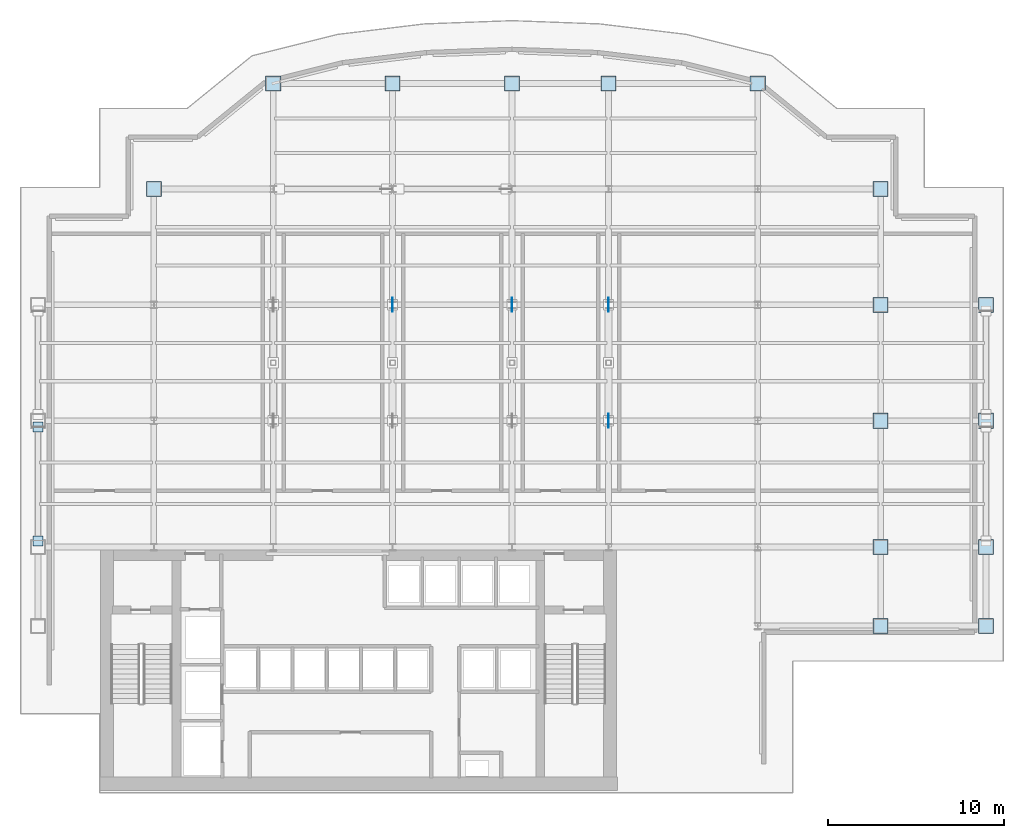
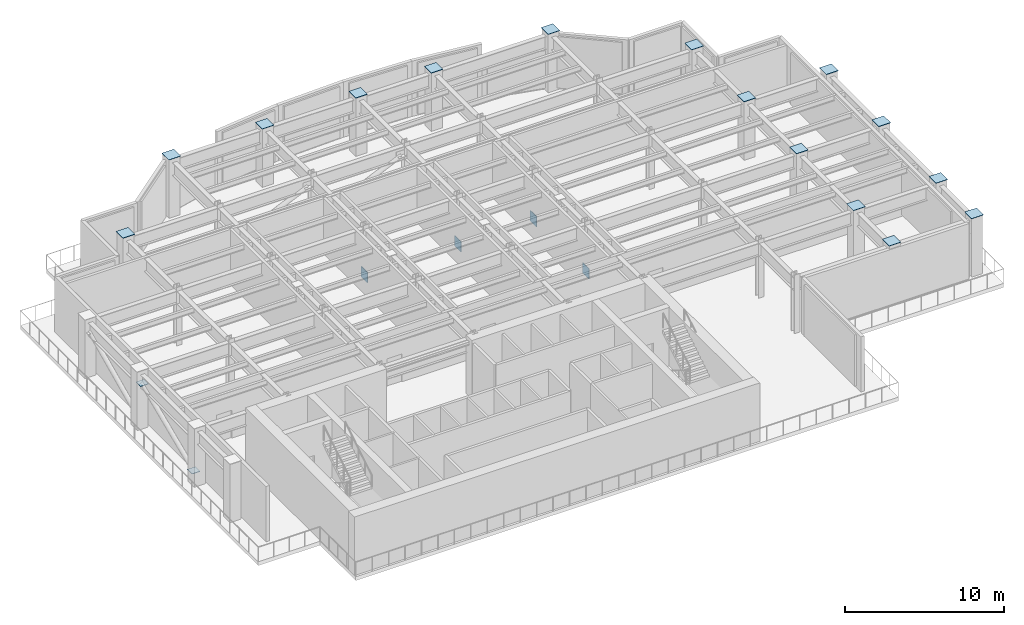
# One storey, part 6 of 12: 21 plates.
"""IFC4 building model written with IfcOpenShell, lengths in metres."""

from ifc_helpers import new_model, si_unit, derived_unit, direction, frame, origin, origin_2d, place, context, subcontext, project, spatial, rectangle, extrude, source, transform, mapped, material, layer, layer_set, type_object, element, save


model = new_model("IFC4")

# Units and contexts
model_context = context("Model", 3, precision=1e-05, world=origin(), true_north=direction((0.0, 1.0)))
body_context = subcontext(model_context, "Body", "Model", "MODEL_VIEW")
ifc_project = project(units=[si_unit("LENGTHUNIT", "METRE"), si_unit("AREAUNIT", "SQUARE_METRE"), si_unit("VOLUMEUNIT", "CUBIC_METRE"), si_unit("PLANEANGLEUNIT", "RADIAN"), si_unit("MASSUNIT", "GRAM", prefix="KILO"), derived_unit("THERMALTRANSMITTANCEUNIT", [(si_unit("POWERUNIT", "WATT"), 1), (si_unit("LENGTHUNIT", "METRE"), -2), (si_unit("THERMODYNAMICTEMPERATUREUNIT", "KELVIN"), -1)])], contexts=[model_context])

# Site, building, storey
site_placement = place(None, origin())
site = spatial("IfcSite", under=ifc_project, at=site_placement, CompositionType="ELEMENT")
building_placement = place(site_placement, origin())
building = spatial("IfcBuilding", under=site, at=building_placement, Name="Skarnbrae Concourse Arena and Tower", CompositionType="ELEMENT")
storey_placement = place(building_placement, frame((0.0, 0.0, 136.10009765625)))
storey = spatial("IfcBuildingStorey", under=building, at=storey_placement, Name="L34", CompositionType="ELEMENT", Elevation=136.10009765625)

# Plates
ifc_material = material(Name="Steel CSA G40.21 350W", Category="steel")
ifc_layer_1 = layer(ifc_material, 0.031982421875)
ifc_layer_set_1 = layer_set([ifc_layer_1], Name="Steel CSA G40.21 350W")
plate_type_1 = type_object("IfcPlateType", Name="PLT-CAP-HOLLOW", PredefinedType="USERDEFINED", material=ifc_layer_set_1)
shared_shape_1 = source(origin(), body_context, "Body", "SweptSolid", [
    extrude(rectangle(XDim=0.580078125, YDim=0.580078125, at=origin_2d()), origin(), (0.0, 0.0, 1.0), 0.031982421875),
])
for number, where, z_axis, x_axis, name in (
    (1, (1.0, 14.353515625, 0.68603515625), (0.0, 0.0, 1.0), (1.0, 0.0, 0.0), "L34 Belt truss cap plate B01A"),
    (2, (1.0, 20.846435546875, 3.4814453125), (0.0, 0.0, 1.0), (1.0, 0.0, 0.0), "L34 Belt truss cap plate B01B"),
):
    element("IfcPlate", number, at=place(storey_placement, frame(where, z_axis=z_axis, x_axis=x_axis)), inside=storey, type_object=plate_type_1, Name=name, ObjectType="CAP PLATE", PredefinedType="USERDEFINED", context=body_context, shape_type="MappedRepresentation", body=[
        mapped(shared_shape_1, transform((0.0, 0.0, 0.0))),
    ])
ifc_layer_2 = layer(ifc_material, 0.0400390625)
ifc_layer_set_2 = layer_set([ifc_layer_2], Name="Steel CSA G40.21 350W")
plate_type_2 = type_object("IfcPlateType", Name="PLT-NODE-OUTRIG", PredefinedType="USERDEFINED", material=ifc_layer_set_2)
shared_shape_2 = source(origin(), body_context, "Body", "SweptSolid", [
    extrude(rectangle(XDim=0.800048828125, YDim=0.0400390625, at=origin_2d()), origin(), (0.0, 0.0, 1.0), 0.800048828125),
])
for number, where, z_axis, x_axis, name in (
    (3, (21.199951171875, 27.800048828125, 0.14990234375), (0.0, 0.0, 1.0), (0.0, 1.0, 0.0), "L34 Outrigger node gusset plate ND-OR-01 #2N"),
    (4, (28.0, 27.800048828125, 0.14990234375), (0.0, 0.0, 1.0), (0.0, 1.0, 0.0), "L34 Outrigger node gusset plate ND-OR-01 #3N"),
    (5, (33.5, 21.199951171875, 0.14990234375), (0.0, 0.0, 1.0), (0.0, 1.0, 0.0), "L34 Outrigger node gusset plate ND-OR-01 #4S"),
    (6, (33.5, 27.800048828125, 0.14990234375), (0.0, 0.0, 1.0), (0.0, 1.0, 0.0), "L34 Outrigger node gusset plate ND-OR-01 #4N"),
):
    element("IfcPlate", number, at=place(storey_placement, frame(where, z_axis=z_axis, x_axis=x_axis)), inside=storey, type_object=plate_type_2, Name=name, ObjectType="GUSSET PLATE", PredefinedType="USERDEFINED", context=body_context, shape_type="MappedRepresentation", body=[
        mapped(shared_shape_2, transform((0.0, 0.0, 0.0))),
    ])
ifc_layer_3 = layer(ifc_material, 0.031982421875)
ifc_layer_set_3 = layer_set([ifc_layer_3], Name="Steel CSA G40.21 350W")
plate_type_3 = type_object("IfcPlateType", Name="PLT-CAP-BOX800", PredefinedType="USERDEFINED", material=ifc_layer_set_3)
shared_shape_3 = source(origin(), body_context, "Body", "SweptSolid", [
    extrude(rectangle(XDim=0.860107421875, YDim=0.860107421875, at=origin_2d()), origin(), (0.0, 0.0, 1.0), 0.031982421875),
])
for number, where, z_axis, x_axis, name in (
    (7, (7.60009765625, 34.39990234375, 4.4990234375), (0.0, 0.0, 1.0), (1.0, 0.0, 0.0), "L34 Hollow column top cap plate 096"),
    (8, (14.39990234375, 40.39990234375, 4.4990234375), (0.0, 0.0, 1.0), (1.0, 0.0, 0.0), "L34 Hollow column top cap plate 097"),
    (9, (21.199951171875, 40.39990234375, 4.4990234375), (0.0, 0.0, 1.0), (1.0, 0.0, 0.0), "L34 Hollow column top cap plate 098"),
    (10, (28.0, 40.39990234375, 4.4990234375), (0.0, 0.0, 1.0), (1.0, 0.0, 0.0), "L34 Hollow column top cap plate 099"),
    (11, (33.5, 40.39990234375, 4.4990234375), (0.0, 0.0, 1.0), (1.0, 0.0, 0.0), "L34 Hollow column top cap plate 100"),
    (12, (42.0, 40.39990234375, 4.4990234375), (0.0, 0.0, 1.0), (1.0, 0.0, 0.0), "L34 Hollow column top cap plate 101"),
    (13, (49.0, 9.5, 4.4990234375), (0.0, 0.0, 1.0), (1.0, 0.0, 0.0), "L34 Hollow column top cap plate 102"),
    (14, (49.0, 14.0, 4.4990234375), (0.0, 0.0, 1.0), (1.0, 0.0, 0.0), "L34 Hollow column top cap plate 103"),
    (15, (49.0, 21.199951171875, 4.4990234375), (0.0, 0.0, 1.0), (1.0, 0.0, 0.0), "L34 Hollow column top cap plate 104"),
    (16, (49.0, 27.800048828125, 4.4990234375), (0.0, 0.0, 1.0), (1.0, 0.0, 0.0), "L34 Hollow column top cap plate 105"),
    (17, (49.0, 34.39990234375, 4.4990234375), (0.0, 0.0, 1.0), (1.0, 0.0, 0.0), "L34 Hollow column top cap plate 106"),
    (18, (55.0, 9.5, 4.4990234375), (0.0, 0.0, 1.0), (1.0, 0.0, 0.0), "L34 Hollow column top cap plate 107"),
    (19, (55.0, 14.0, 4.4990234375), (0.0, 0.0, 1.0), (1.0, 0.0, 0.0), "L34 Hollow column top cap plate 108"),
    (20, (55.0, 21.199951171875, 4.4990234375), (0.0, 0.0, 1.0), (1.0, 0.0, 0.0), "L34 Hollow column top cap plate 109"),
    (21, (55.0, 27.800048828125, 4.4990234375), (0.0, 0.0, 1.0), (1.0, 0.0, 0.0), "L34 Hollow column top cap plate 110"),
):
    element("IfcPlate", number, at=place(storey_placement, frame(where, z_axis=z_axis, x_axis=x_axis)), inside=storey, type_object=plate_type_3, Name=name, ObjectType="CAP PLATE", PredefinedType="USERDEFINED", context=body_context, shape_type="MappedRepresentation", body=[
        mapped(shared_shape_3, transform((0.0, 0.0, 0.0))),
    ])

save(model, "model.ifc")
